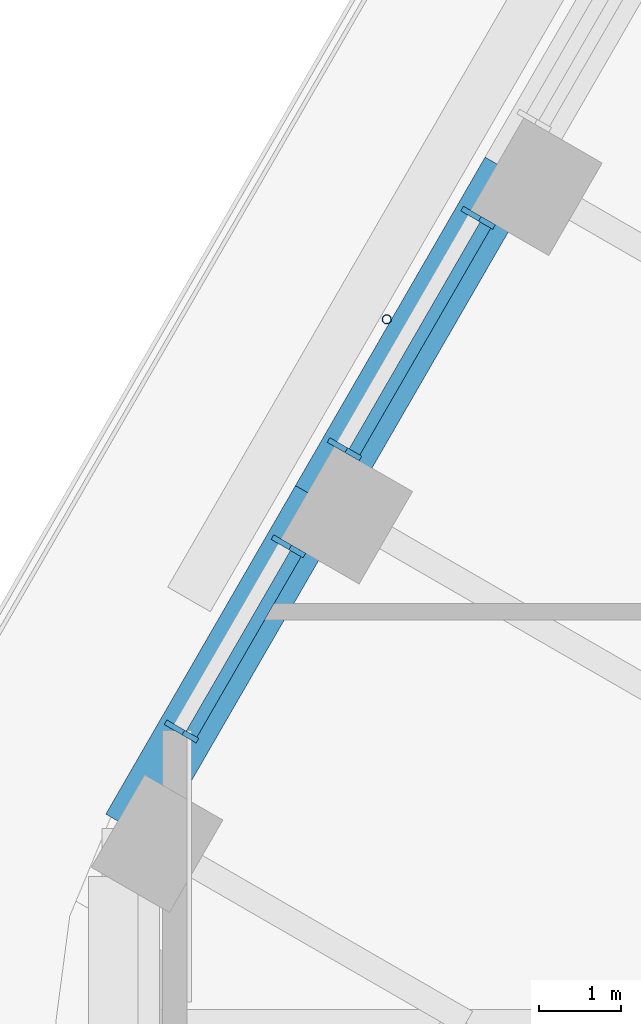
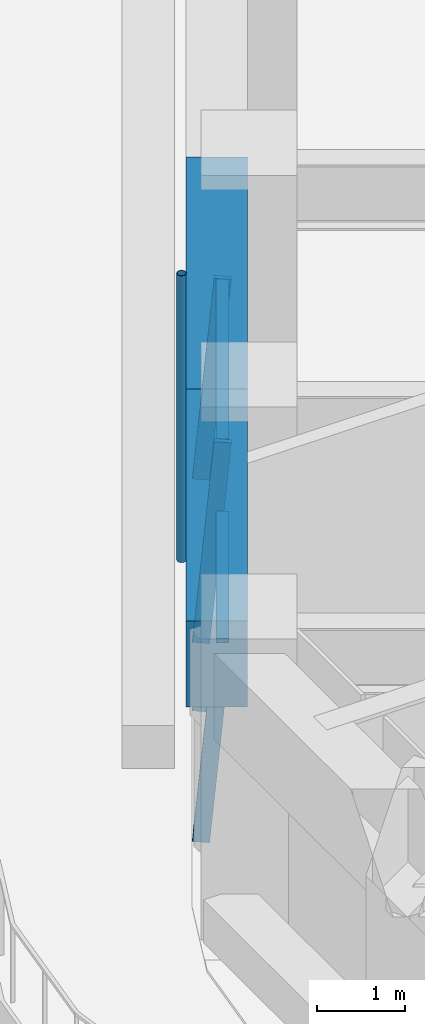
# One storey, part 6 of 20: 7 members, 2 beams, 2 elements without a shape of their own.
"""IFC4 building model written with IfcOpenShell, lengths in metres."""

from ifc_helpers import new_model, si_unit, direction, frame, origin, origin_2d, place, context, subcontext, project, spatial, rectangle, hollow_circle, extrude, material, material_profile, profile_set, type_object, element, aggregate, save


model = new_model("IFC4")

# Units and contexts
model_context = context("Model", 3, precision=1e-05, world=origin(), true_north=direction((0.0, 1.0)))
body_context = subcontext(model_context, "Body", "Model", "MODEL_VIEW")
ifc_project = project(units=[si_unit("LENGTHUNIT", "METRE"), si_unit("AREAUNIT", "SQUARE_METRE"), si_unit("VOLUMEUNIT", "CUBIC_METRE"), si_unit("PLANEANGLEUNIT", "RADIAN"), si_unit("MASSUNIT", "GRAM", prefix="KILO")], contexts=[model_context])

# Site, building, storey
site_placement = place(None, origin())
site = spatial("IfcSite", under=ifc_project, at=site_placement, CompositionType="ELEMENT")
building_placement = place(site_placement, origin())
building = spatial("IfcBuilding", under=site, at=building_placement, Name="Tarfa Lantern Tower", CompositionType="ELEMENT")
storey_placement = place(building_placement, frame((0.0, 0.0, 236.5)))
storey = spatial("IfcBuildingStorey", under=building, at=storey_placement, Name="L53", CompositionType="ELEMENT", Elevation=236.5)

# Curtain wall, members
ifc_material_1 = material(Name="Aluminium framed curtain wall", Category="aluminium")
curtain_wall_type = type_object("IfcCurtainWallType", Name="CW3 CANTED GLAZING HIGH ZONE 2800", PredefinedType="USERDEFINED", material=ifc_material_1)
curtain_wall_1_placement = place(storey_placement, origin())
curtain_wall_1 = element("IfcCurtainWall", 1, at=curtain_wall_1_placement, inside=storey, type_object=curtain_wall_type, Name="CW3 NW L53", ObjectType="CURTAIN WALL", PredefinedType="USERDEFINED")
ifc_material_2 = material(Name="Aluminium mullion", Category="aluminium")
ifc_material_profile_1 = material_profile(ifc_material_2, rectangle(XDim=0.06494140625, YDim=0.199951171875, at=origin_2d()), Name="AL MULLION 65x200")
ifc_profile_set_1 = profile_set([ifc_material_profile_1], Name="Aluminium mullion")
member_type_1 = type_object("IfcMemberType", Name="CWM1 MULLION 65x200", PredefinedType="MULLION", material=ifc_profile_set_1)
member_1_placement = place(storey_placement, frame((-27.6787109375, 9.85888671875, 0.0), z_axis=(0.077032386753, -0.044465143199, 0.996036576854), x_axis=(0.499919672301, 0.866071776036, 0.0)))
member_1 = element("IfcMember", 2, at=member_1_placement, type_object=member_type_1, Name="CW3 mullion 1", PredefinedType="MULLION", context=body_context, shape_type="SweptSolid", body=[
    extrude(rectangle(XDim=0.06494140625, YDim=0.199951171875, at=origin_2d()), origin(), (0.0, 0.0, 1.0), 2.811279296875),
])
member_2_placement = place(storey_placement, frame((-29.3056640625, 7.041015625, 0.0), z_axis=(0.077032386753, -0.044465143199, 0.996036576854), x_axis=(0.499919672301, 0.866071776036, 0.0)))
member_2 = element("IfcMember", 3, at=member_2_placement, type_object=member_type_1, Name="CW3 mullion 2", PredefinedType="MULLION", context=body_context, shape_type="SweptSolid", body=[
    extrude(rectangle(XDim=0.06494140625, YDim=0.199951171875, at=origin_2d()), origin(), (0.0, 0.0, 1.0), 2.811279296875),
])

curtain_wall_2_placement = place(storey_placement, origin())
curtain_wall_2 = element("IfcCurtainWall", 4, at=curtain_wall_2_placement, inside=storey, type_object=curtain_wall_type, Name="CW3 NW L53", ObjectType="CURTAIN WALL", PredefinedType="USERDEFINED")
member_3_placement = place(storey_placement, frame((-29.98828125, 5.85888671875, 0.0), z_axis=(0.077032386753, -0.044465143199, 0.996036576854), x_axis=(0.499919672301, 0.866071776036, 0.0)))
member_3 = element("IfcMember", 5, at=member_3_placement, type_object=member_type_1, Name="CW3 mullion 1", PredefinedType="MULLION", context=body_context, shape_type="SweptSolid", body=[
    extrude(rectangle(XDim=0.06494140625, YDim=0.199951171875, at=origin_2d()), origin(), (0.0, 0.0, 1.0), 2.811279296875),
])
member_4_placement = place(storey_placement, frame((-31.2900390625, 3.60400390625, 0.0), z_axis=(0.077032386753, -0.044465143199, 0.996036576854), x_axis=(0.499919672301, 0.866071776036, 0.0)))
member_4 = element("IfcMember", 6, at=member_4_placement, type_object=member_type_1, Name="CW3 mullion 2", PredefinedType="MULLION", context=body_context, shape_type="SweptSolid", body=[
    extrude(rectangle(XDim=0.06494140625, YDim=0.199951171875, at=origin_2d()), origin(), (0.0, 0.0, 1.0), 2.811279296875),
])

# Member
ifc_material_3 = material(Name="Aluminium transom", Category="aluminium")
ifc_material_profile_2 = material_profile(ifc_material_3, rectangle(XDim=0.14990234375, YDim=0.06494140625, at=origin_2d()), Name="AL TRANSOM 150x65")
ifc_profile_set_2 = profile_set([ifc_material_profile_2], Name="Aluminium transom")
member_type_2 = type_object("IfcMemberType", Name="CWT1 TRANSOM 150x65", PredefinedType="USERDEFINED", material=ifc_profile_set_2)
member_5_placement = place(storey_placement, frame((-27.48095703125, 9.707275390625, 2.767578125), z_axis=(-0.500000789788, -0.8660249478, 0.0), x_axis=(0.8660249478, -0.500000789788, 0.0)))
member_5 = element("IfcMember", 7, at=member_5_placement, type_object=member_type_2, Name="CW3 transom 1.2", ObjectType="TRANSOM", PredefinedType="USERDEFINED", context=body_context, shape_type="SweptSolid", body=[
    extrude(rectangle(XDim=0.14990234375, YDim=0.06494140625, at=origin_2d()), origin(), (0.0, 0.0, 1.0), 3.18896484375),
])

aggregate(curtain_wall_1, [member_1, member_2, member_5])

member_6_placement = place(storey_placement, frame((-29.79052734375, 5.707275390625, 2.767578125), z_axis=(-0.499955533855, -0.866051074803, 0.0), x_axis=(0.866051074803, -0.499955533855, 0.0)))
member_6 = element("IfcMember", 8, at=member_6_placement, type_object=member_type_2, Name="CW3 transom 1.2", ObjectType="TRANSOM", PredefinedType="USERDEFINED", context=body_context, shape_type="SweptSolid", body=[
    extrude(rectangle(XDim=0.14990234375, YDim=0.06494140625, at=origin_2d()), origin(), (0.0, 0.0, 1.0), 2.538818359375),
])

aggregate(curtain_wall_2, [member_3, member_4, member_6])

# Beams
ifc_material_4 = material(Name="Concrete C80/95", Category="concrete")
ifc_material_profile_3 = material_profile(ifc_material_4, rectangle(XDim=0.699951171875, YDim=1.199951171875, at=origin_2d()), Name="RC 700x1200")
ifc_profile_set_3 = profile_set([ifc_material_profile_3], Name="Concrete C80/95")
beam_type = type_object("IfcBeamType", Name="EB3 RC 700x1200", PredefinedType="SPANDREL", material=ifc_profile_set_3)
beam_1_placement = place(storey_placement, frame((-27.181640625, 10.360107421875, 3.39990234375), z_axis=(-0.499987836815, -0.866032426089, 0.0), x_axis=(0.866032426089, -0.499987836815, 0.0)))
element("IfcBeam", 9, at=beam_1_placement, inside=storey, type_object=beam_type, Name="Edge beam NW4", PredefinedType="SPANDREL", context=body_context, shape_type="SweptSolid", body=[
    extrude(rectangle(XDim=0.699951171875, YDim=1.199951171875, at=origin_2d()), origin(), (0.0, 0.0, 1.0), 4.61865234375),
])
beam_2_placement = place(storey_placement, frame((-29.490966796875, 6.360107421875, 3.39990234375), z_axis=(-0.500027479704, -0.866009537788, 0.0), x_axis=(0.866009537788, -0.500027479704, 0.0)))
element("IfcBeam", 10, at=beam_2_placement, inside=storey, type_object=beam_type, Name="Edge beam NW5", PredefinedType="SPANDREL", context=body_context, shape_type="SweptSolid", body=[
    extrude(rectangle(XDim=0.699951171875, YDim=1.199951171875, at=origin_2d()), origin(), (0.0, 0.0, 1.0), 4.618896484375),
])

# Member
ifc_material_5 = material(Name="Steel S355", Category="steel")
ifc_material_profile_4 = material_profile(ifc_material_5, hollow_circle(Radius=0.05712890625, WallThickness=0.00634765625, at=origin_2d()), Name="CHS114.3x6.3")
ifc_profile_set_4 = profile_set([ifc_material_profile_4], Name="Steel S355")
member_type_3 = type_object("IfcMemberType", Name="TR1 GREEN WALL TRELLIS CHS114.3x6.3", PredefinedType="USERDEFINED", material=ifc_profile_set_4)
member_7_placement = place(storey_placement, frame((-28.682861328125, 8.56005859375, 0.0), z_axis=(0.0, 0.0, 1.0), x_axis=(1.0, 0.0, 0.0)))
element("IfcMember", 11, at=member_7_placement, inside=storey, type_object=member_type_3, Name="Trellis post NW 2", ObjectType="TRELLIS", PredefinedType="USERDEFINED", context=body_context, shape_type="SweptSolid", body=[
    extrude(hollow_circle(Radius=0.05712890625, WallThickness=0.00634765625, at=origin_2d()), origin(), (0.0, 0.0, 1.0), 4.0),
])

save(model, "model.ifc")
